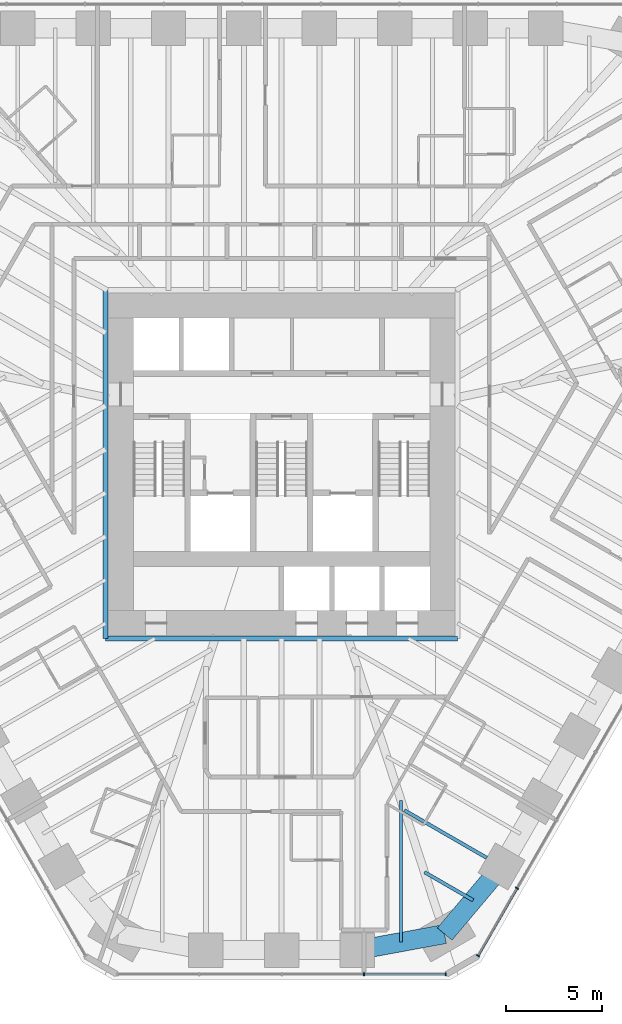
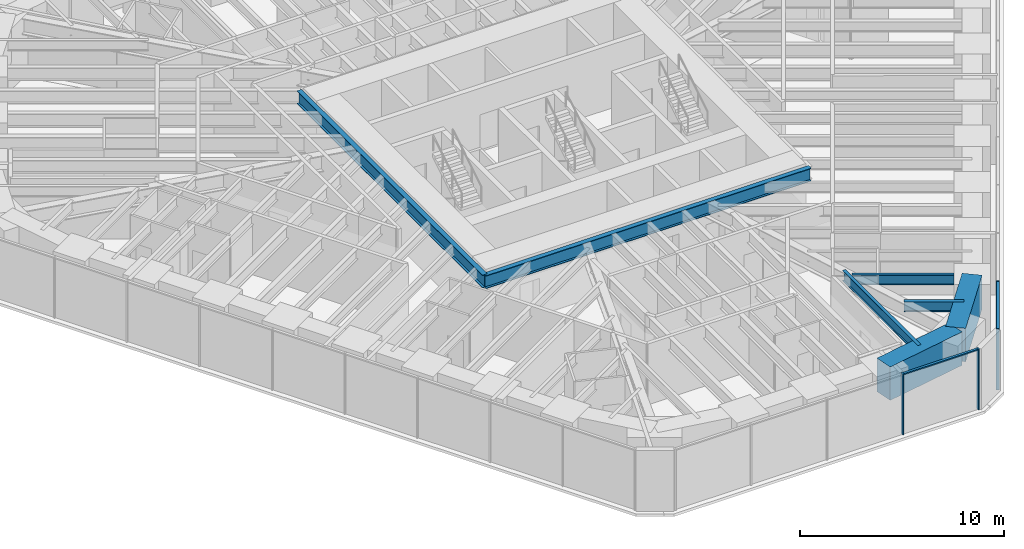
# One storey, part 4 of 17: 7 beams, 6 members, 2 elements without a shape of their own.
"""IFC4 building model written with IfcOpenShell, lengths in metres."""

from ifc_helpers import new_model, si_unit, direction, frame, origin, origin_2d, place, context, subcontext, project, spatial, rectangle, i_section, extrude, material, material_profile, profile_set, type_object, element, aggregate, save


model = new_model("IFC4")

# Units and contexts
model_context = context("Model", 3, precision=1e-05, world=origin(), true_north=direction((0.0, 1.0)))
body_context = subcontext(model_context, "Body", "Model", "MODEL_VIEW")
ifc_project = project(units=[si_unit("LENGTHUNIT", "METRE"), si_unit("AREAUNIT", "SQUARE_METRE"), si_unit("VOLUMEUNIT", "CUBIC_METRE"), si_unit("PLANEANGLEUNIT", "RADIAN"), si_unit("MASSUNIT", "GRAM", prefix="KILO")], contexts=[model_context])

# Site, building, storey
site_placement = place(None, origin())
site = spatial("IfcSite", under=ifc_project, at=site_placement, CompositionType="ELEMENT")
building_placement = place(site_placement, origin())
building = spatial("IfcBuilding", under=site, at=building_placement, Name="Sandreach Pilgrim Tower", CompositionType="ELEMENT")
storey_placement = place(building_placement, frame((0.0, 0.0, 146.199951171875)))
storey = spatial("IfcBuildingStorey", under=building, at=storey_placement, Name="L36", CompositionType="ELEMENT", Elevation=146.199951171875)

# Curtain wall, members
ifc_material_1 = material(Name="Aluminium framed curtain wall", Category="aluminium")
curtain_wall_type = type_object("IfcCurtainWallType", Name="Hotel tower curtain wall", PredefinedType="NOTDEFINED", material=ifc_material_1)
curtain_wall_1_placement = place(storey_placement, origin())
curtain_wall_1 = element("IfcCurtainWall", 1, at=curtain_wall_1_placement, inside=storey, type_object=curtain_wall_type, Name="CW-2 L36 SE", PredefinedType="NOTDEFINED")
ifc_material_2 = material(Name="Aluminium extrusion", Category="aluminium")
ifc_material_profile_1 = material_profile(ifc_material_2, rectangle(XDim=0.06494140625, YDim=0.179931640625, at=origin_2d()), Name="CW-2M 65X180")
ifc_profile_set_1 = profile_set([ifc_material_profile_1], Name="Aluminium extrusion")
member_type_1 = type_object("IfcMemberType", Name="CW-2 mullion", PredefinedType="MULLION", material=ifc_profile_set_1)
member_1_placement = place(storey_placement, frame((12.29296875, -23.695556640625, 0.0), z_axis=(0.0, 0.0, 1.0), x_axis=(-0.5, -0.866025403784, 0.0)))
member_1 = element("IfcMember", 2, at=member_1_placement, type_object=member_type_1, Name="CW-2 mullion 9", PredefinedType="MULLION", context=body_context, shape_type="SweptSolid", body=[
    extrude(rectangle(XDim=0.06494140625, YDim=0.179931640625, at=origin_2d()), origin(), (0.0, 0.0, 1.0), 3.64013671875),
])
member_2_placement = place(storey_placement, frame((10.255859375, -27.22412109375, 0.0), z_axis=(0.0, 0.0, 1.0), x_axis=(-0.5, -0.866025403784, 0.0)))
member_2 = element("IfcMember", 3, at=member_2_placement, type_object=member_type_1, Name="CW-2 mullion 10", PredefinedType="MULLION", context=body_context, shape_type="SweptSolid", body=[
    extrude(rectangle(XDim=0.06494140625, YDim=0.179931640625, at=origin_2d()), origin(), (0.0, 0.0, 1.0), 3.64013671875),
])

curtain_wall_2_placement = place(storey_placement, origin())
curtain_wall_2 = element("IfcCurtainWall", 4, at=curtain_wall_2_placement, inside=storey, type_object=curtain_wall_type, Name="CW-2 L36 S", PredefinedType="NOTDEFINED")
member_3_placement = place(storey_placement, frame((8.578857421875, -28.192138671875, 0.0), z_axis=(0.0, 0.0, 1.0), x_axis=(-1.0, 0.0, 0.0)))
member_3 = element("IfcMember", 5, at=member_3_placement, type_object=member_type_1, Name="CW-2 mullion 1", PredefinedType="MULLION", context=body_context, shape_type="SweptSolid", body=[
    extrude(rectangle(XDim=0.06494140625, YDim=0.179931640625, at=origin_2d()), origin(), (0.0, 0.0, 1.0), 3.64013671875),
])
member_4_placement = place(storey_placement, frame((4.3056640625, -28.192138671875, 0.0), z_axis=(0.0, 0.0, 1.0), x_axis=(-1.0, 0.0, 0.0)))
member_4 = element("IfcMember", 6, at=member_4_placement, type_object=member_type_1, Name="CW-2 mullion 2", PredefinedType="MULLION", context=body_context, shape_type="SweptSolid", body=[
    extrude(rectangle(XDim=0.06494140625, YDim=0.179931640625, at=origin_2d()), origin(), (0.0, 0.0, 1.0), 3.64013671875),
])

# Member
ifc_material_3 = material(Name="Aluminium extrusion", Category="aluminium")
ifc_material_profile_2 = material_profile(ifc_material_3, rectangle(XDim=0.139892578125, YDim=0.070068359375, at=origin_2d()), Name="CW-2T 140X70")
ifc_profile_set_2 = profile_set([ifc_material_profile_2], Name="Aluminium extrusion")
member_type_2 = type_object("IfcMemberType", Name="CW-2 transom", PredefinedType="USERDEFINED", material=ifc_profile_set_2)
member_5_placement = place(storey_placement, frame((12.27685546875, -23.7236328125, 3.60498046875), z_axis=(-0.500015851672, -0.866016251624, 0.0), x_axis=(0.866016251624, -0.500015851672, 0.0)))
member_5 = element("IfcMember", 7, at=member_5_placement, type_object=member_type_2, Name="CW-2 head transom 9", ObjectType="TRANSOM", PredefinedType="USERDEFINED", context=body_context, shape_type="SweptSolid", body=[
    extrude(rectangle(XDim=0.139892578125, YDim=0.070068359375, at=origin_2d()), origin(), (0.0, 0.0, 1.0), 4.009521484375),
])

aggregate(curtain_wall_1, [member_1, member_2, member_5])

member_6_placement = place(storey_placement, frame((8.54638671875, -28.192138671875, 3.60498046875), z_axis=(-1.0, 0.0, 0.0), x_axis=(0.0, -1.0, 0.0)))
member_6 = element("IfcMember", 8, at=member_6_placement, type_object=member_type_2, Name="CW-2 head transom 1", ObjectType="TRANSOM", PredefinedType="USERDEFINED", context=body_context, shape_type="SweptSolid", body=[
    extrude(rectangle(XDim=0.139892578125, YDim=0.070068359375, at=origin_2d()), origin(), (0.0, 0.0, 1.0), 4.208251953125),
])

aggregate(curtain_wall_2, [member_3, member_4, member_6])

# Beams
ifc_material_4 = material(Name="Steel ASTM A992 Grade 50", Category="steel")
ifc_material_profile_3 = material_profile(ifc_material_4, i_section(OverallWidth=0.2666015625, OverallDepth=0.77978515625, WebThickness=0.0166015625, FlangeThickness=0.030029296875, at=origin_2d()), Name="W30X148")
ifc_profile_set_3 = profile_set([ifc_material_profile_3], Name="Steel ASTM A992 Grade 50")
beam_type_1 = type_object("IfcBeamType", Name="Core edge beam W30X148", PredefinedType="BEAM", material=ifc_profile_set_3)
beam_1_placement = place(storey_placement, frame((9.193359375, -10.643310546875, 3.250244140625), z_axis=(-1.0, 0.0, 0.0), x_axis=(0.0, -1.0, 0.0)))
element("IfcBeam", 9, at=beam_1_placement, inside=storey, type_object=beam_type_1, Name="BM L36 CES", PredefinedType="BEAM", context=body_context, shape_type="SweptSolid", body=[
    extrude(i_section(OverallWidth=0.2666015625, OverallDepth=0.77978515625, WebThickness=0.0166015625, FlangeThickness=0.030029296875, at=origin_2d()), origin(), (0.0, 0.0, 1.0), 18.38671875),
])
beam_2_placement = place(storey_placement, frame((-9.193359375, -10.643310546875, 3.250244140625), z_axis=(0.0, 1.0, 0.0), x_axis=(-1.0, 0.0, 0.0)))
element("IfcBeam", 10, at=beam_2_placement, inside=storey, type_object=beam_type_1, Name="BM L36 CEW", PredefinedType="BEAM", context=body_context, shape_type="SweptSolid", body=[
    extrude(i_section(OverallWidth=0.2666015625, OverallDepth=0.77978515625, WebThickness=0.0166015625, FlangeThickness=0.030029296875, at=origin_2d()), origin(), (0.0, 0.0, 1.0), 18.186767578125),
])
ifc_material_5 = material(Name="Steel ASTM A992 Grade 50", Category="steel")
ifc_material_profile_4 = material_profile(ifc_material_5, i_section(OverallWidth=0.1787109375, OverallDepth=0.60205078125, WebThickness=0.010986328125, FlangeThickness=0.014892578125, at=origin_2d()), Name="W24X62")
ifc_profile_set_4 = profile_set([ifc_material_profile_4], Name="Steel ASTM A992 Grade 50")
beam_type_2 = type_object("IfcBeamType", Name="Floor beam W24X62", PredefinedType="BEAM", material=ifc_profile_set_4)
beam_3_placement = place(storey_placement, frame((10.714599609375, -22.109130859375, 3.339111328125), z_axis=(-0.866024645457, 0.500001313459, 0.0), x_axis=(-0.500001313459, -0.866024645457, 0.0)))
element("IfcBeam", 11, at=beam_3_placement, inside=storey, type_object=beam_type_2, Name="BM L36 F21", PredefinedType="BEAM", context=body_context, shape_type="SweptSolid", body=[
    extrude(i_section(OverallWidth=0.1787109375, OverallDepth=0.60205078125, WebThickness=0.010986328125, FlangeThickness=0.014892578125, at=origin_2d()), origin(), (0.0, 0.0, 1.0), 4.9765625),
])
beam_4_placement = place(storey_placement, frame((10.006103515625, -24.326904296875, 3.339111328125), z_axis=(-0.866015396618, 0.500017332519, 0.0), x_axis=(-0.500017332519, -0.866015396618, 0.0)))
element("IfcBeam", 12, at=beam_4_placement, inside=storey, type_object=beam_type_2, Name="BM L36 FM21", PredefinedType="BEAM", context=body_context, shape_type="SweptSolid", body=[
    extrude(i_section(OverallWidth=0.1787109375, OverallDepth=0.60205078125, WebThickness=0.010986328125, FlangeThickness=0.014892578125, at=origin_2d()), origin(), (0.0, 0.0, 1.0), 2.9384765625),
])
beam_5_placement = place(storey_placement, frame((6.236572265625, -26.51318359375, 3.339111328125), z_axis=(0.0, 1.0, 0.0), x_axis=(-1.0, 0.0, 0.0)))
element("IfcBeam", 13, at=beam_5_placement, inside=storey, type_object=beam_type_2, Name="BM L36 FM22", PredefinedType="BEAM", context=body_context, shape_type="SweptSolid", body=[
    extrude(i_section(OverallWidth=0.1787109375, OverallDepth=0.60205078125, WebThickness=0.010986328125, FlangeThickness=0.014892578125, at=origin_2d()), origin(), (0.0, 0.0, 1.0), 7.40771484375),
])
ifc_material_6 = material(Name="Concrete 10000 psi", Category="concrete")
ifc_material_profile_5 = material_profile(ifc_material_6, rectangle(XDim=1.0, YDim=2.0, at=origin_2d()), Name="RC1000X2000")
ifc_profile_set_5 = profile_set([ifc_material_profile_5], Name="Concrete 10000 psi")
beam_type_3 = type_object("IfcBeamType", Name="Spandrel beam RC1000X2000", PredefinedType="SPANDREL", material=ifc_profile_set_5)
beam_6_placement = place(storey_placement, frame((11.494140625, -22.559326171875, 2.64013671875), z_axis=(-0.644078801547, -0.764959147535, 0.0), x_axis=(0.764959147535, -0.644078801547, 0.0)))
element("IfcBeam", 14, at=beam_6_placement, inside=storey, type_object=beam_type_3, Name="BM L36 SP21", PredefinedType="SPANDREL", context=body_context, shape_type="SweptSolid", body=[
    extrude(rectangle(XDim=1.0, YDim=2.0, at=origin_2d()), origin(), (0.0, 0.0, 1.0), 4.62109375),
])
beam_7_placement = place(storey_placement, frame((8.517822265625, -26.09423828125, 2.64013671875), z_axis=(-0.983551746136, -0.180626583516, 0.0), x_axis=(0.180626583516, -0.983551746136, 0.0)))
element("IfcBeam", 15, at=beam_7_placement, inside=storey, type_object=beam_type_3, Name="BM L36 SP22", PredefinedType="SPANDREL", context=body_context, shape_type="SweptSolid", body=[
    extrude(rectangle(XDim=1.0, YDim=2.0, at=origin_2d()), origin(), (0.0, 0.0, 1.0), 4.638916015625),
])

save(model, "model.ifc")
